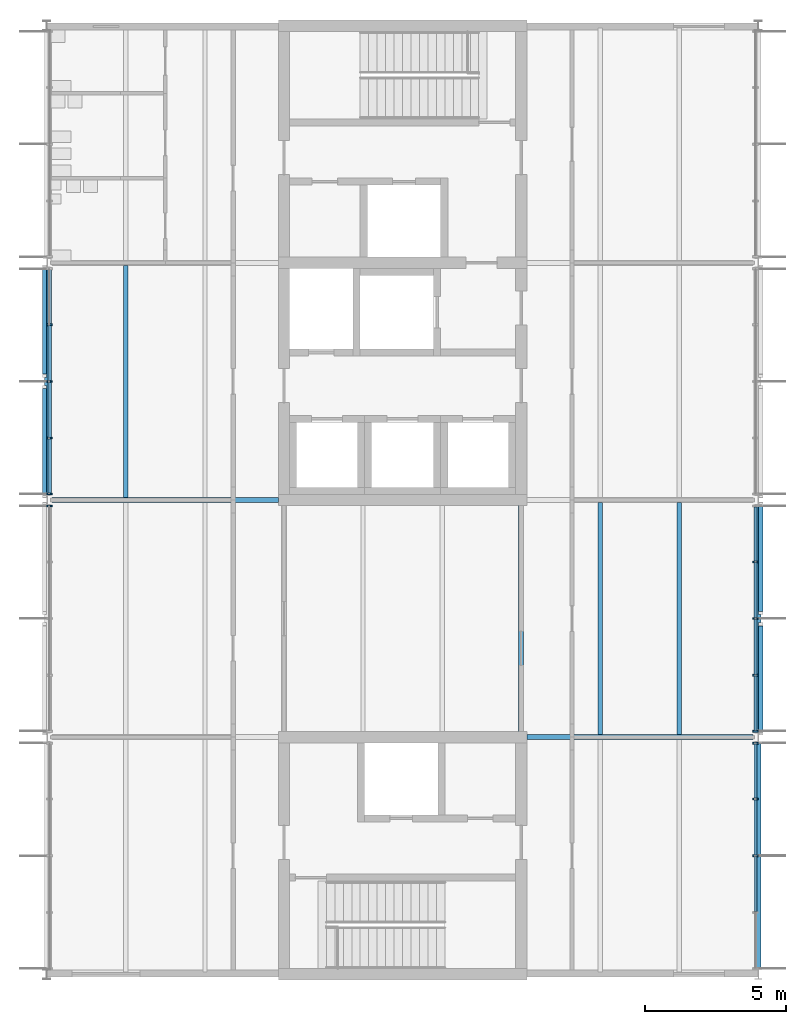
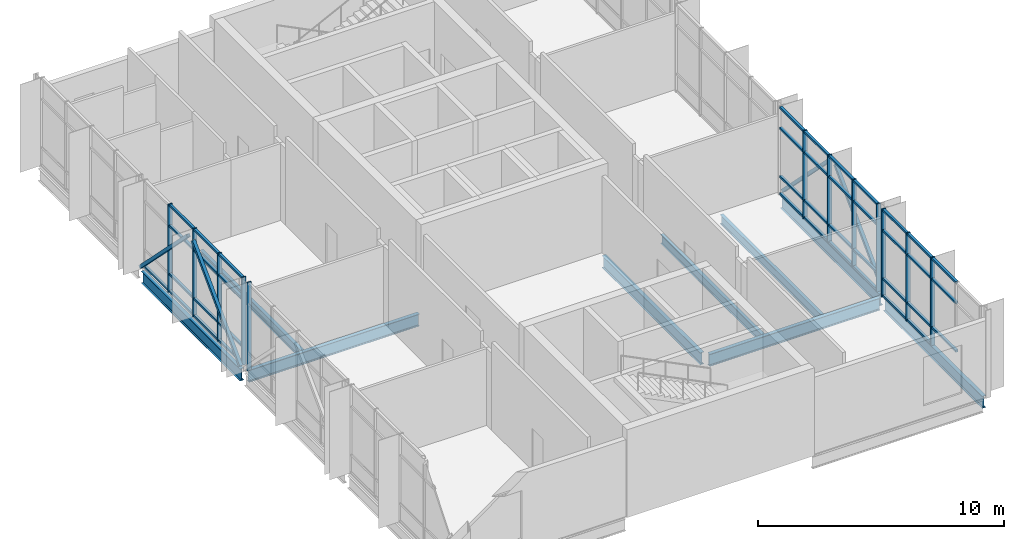
# One storey, part 4 of 17: 56 members, 9 beams, 4 elements without a shape of their own.
"""IFC4 building model written with IfcOpenShell, lengths in metres."""

import ifcopenshell
import ifcopenshell.guid

model = None  # the IFC model being written
_history = None  # IfcOwnerHistory: only IFC2X3 demands one
_inside = {}  # id of a spatial element -> (the spatial element, [elements in it])
_under = {}  # id of a project, library or spatial element -> (it, [spatial elements below it])
_declared = {}  # id of a project -> (the project, [libraries it declares])
_typed = {}  # id of a type object -> (the type object, [elements of that type])
_made_of = {}  # id of a material, layer set ... -> (it, [elements and type objects made of it])


def new_model(schema):
    """Start an empty IFC model of exactly this schema.

    Asked for "IFC4X3", IfcOpenShell would pick the latest addendum, in which some entities
    have other attributes; the version numbers below select the first issue.
    IFC2X3 requires an IfcOwnerHistory on every rooted entity: one is made here for all.
    """
    global model, _history
    if schema == "IFC4X3":
        model = ifcopenshell.file(schema_version=(4, 3, 0, 0))
    else:
        model = ifcopenshell.file(schema=schema)
    _inside.clear()
    _under.clear()
    _declared.clear()
    _typed.clear()
    _made_of.clear()
    _history = None
    if model.schema == "IFC2X3":
        org = make("IfcOrganization", Name="unknown")
        user = make(
            "IfcPersonAndOrganization",
            ThePerson=make("IfcPerson", FamilyName="unknown"),
            TheOrganization=org,
        )
        app = make(
            "IfcApplication",
            ApplicationDeveloper=org,
            Version="unknown",
            ApplicationFullName="unknown",
            ApplicationIdentifier="unknown",
        )
        _history = make(
            "IfcOwnerHistory",
            OwningUser=user,
            OwningApplication=app,
            ChangeAction="ADDED",
            CreationDate=0,
        )
    return model


def make(cls, **values):
    """One entity of the class cls with the attributes given. An attribute that is None is left unset."""
    return model.create_entity(
        cls, **{name: value for name, value in values.items() if value is not None}
    )


def rooted(cls, **values):
    """An entity with a GlobalId (a new one), such as an element, a storey or a relation."""
    return make(cls, GlobalId=ifcopenshell.guid.new(), OwnerHistory=_history, **values)


def si_unit(unit_type, name, prefix=None):
    """IfcSIUnit, for example si_unit("LENGTHUNIT", "METRE", prefix="MILLI")."""
    return make("IfcSIUnit", UnitType=unit_type, Prefix=prefix, Name=name)


def assignment(units):
    """IfcUnitAssignment: the units of a project."""
    return None if units is None else make("IfcUnitAssignment", Units=units)


def point(xyz):
    """IfcCartesianPoint."""
    return None if xyz is None else make("IfcCartesianPoint", Coordinates=xyz)


def direction(xyz):
    """IfcDirection."""
    return None if xyz is None else make("IfcDirection", DirectionRatios=xyz)


def frame(location, z_axis=None, x_axis=None):
    """IfcAxis2Placement3D, a coordinate frame: its origin and axes. An axis left out is left unset."""
    return make(
        "IfcAxis2Placement3D",
        Location=point(location),
        Axis=direction(z_axis),
        RefDirection=direction(x_axis),
    )


def frame_2d(location, x_axis=None):
    """IfcAxis2Placement2D, a coordinate frame in the plane: its origin and x axis."""
    return make(
        "IfcAxis2Placement2D", Location=point(location), RefDirection=direction(x_axis)
    )


def origin():
    """The frame at (0, 0, 0) with its axes left unset."""
    return frame((0.0, 0.0, 0.0))


def origin_2d():
    """The frame at (0, 0) in the plane with its x axis left unset."""
    return frame_2d((0.0, 0.0))


def place(relative_to, where):
    """IfcLocalPlacement: puts the frame where relative to a parent placement (None: the world)."""
    return make(
        "IfcLocalPlacement", PlacementRelTo=relative_to, RelativePlacement=where
    )


def context(
    kind, dimensions, precision=None, world=None, true_north=None, identifier=None
):
    """IfcGeometricRepresentationContext, for example the 3D "Model" context."""
    return make(
        "IfcGeometricRepresentationContext",
        ContextIdentifier=identifier,
        ContextType=kind,
        CoordinateSpaceDimension=dimensions,
        Precision=precision,
        WorldCoordinateSystem=world,
        TrueNorth=true_north,
    )


def subcontext(parent, identifier, kind, view, scale=None):
    """IfcGeometricRepresentationSubContext, for example "Body" below "Model"."""
    return make(
        "IfcGeometricRepresentationSubContext",
        ContextIdentifier=identifier,
        ContextType=kind,
        ParentContext=parent,
        TargetScale=scale,
        TargetView=view,
    )


def project(units=None, contexts=None):
    """IfcProject with its units and contexts."""
    return rooted(
        "IfcProject",
        Name="project",
        RepresentationContexts=contexts,
        UnitsInContext=assignment(units),
    )


def spatial(cls, under=None, at=None, **own):
    """A site, building, storey or space (cls), placed at a placement, below another one or the project."""
    s = rooted(cls, ObjectPlacement=at, **own)
    if under is not None:
        _under.setdefault(under.id(), (under, []))[1].append(s)
    return s


def profile(cls, at=None, kind="AREA", **sizes):
    """A parametric profile (cls). Its sizes go by their IFC names, for example OverallWidth=200.0."""
    return make(cls, ProfileType=kind, Position=at, **sizes)


def rectangle(**sizes):
    """IfcRectangleProfileDef."""
    return profile("IfcRectangleProfileDef", **sizes)


def hollow_rectangle(**sizes):
    """IfcRectangleHollowProfileDef."""
    return profile("IfcRectangleHollowProfileDef", **sizes)


def i_section(**sizes):
    """IfcIShapeProfileDef."""
    return profile("IfcIShapeProfileDef", **sizes)


def extrude(swept, where, along, depth):
    """IfcExtrudedAreaSolid: the profile swept, set in the frame where, extruded along a direction by depth."""
    return make(
        "IfcExtrudedAreaSolid",
        SweptArea=swept,
        Position=where,
        ExtrudedDirection=direction(along),
        Depth=depth,
    )


def shape(context_of_items, identifier, shape_type, items):
    """IfcShapeRepresentation: the items that make up one representation, for example the "Body"."""
    return make(
        "IfcShapeRepresentation",
        ContextOfItems=context_of_items,
        RepresentationIdentifier=identifier,
        RepresentationType=shape_type,
        Items=items,
    )


def material(Name=None, Category=None):
    """IfcMaterial."""
    return make("IfcMaterial", Name=Name, Category=Category)


def material_profile(
    of_material, cross_section, Name=None, Category=None, Priority=None
):
    """IfcMaterialProfile: a cross section and its material."""
    return make(
        "IfcMaterialProfile",
        Name=Name,
        Material=of_material,
        Profile=cross_section,
        Priority=Priority,
        Category=Category,
    )


def profile_set(profiles, Name=None, composite=None):
    """IfcMaterialProfileSet."""
    return make(
        "IfcMaterialProfileSet",
        Name=Name,
        MaterialProfiles=profiles,
        CompositeProfile=composite,
    )


def made_of(thing, what):
    """Note that an element or type object is made of a material, layer set ...; save() writes the relation."""
    if what is not None:
        _made_of.setdefault(what.id(), (what, []))[1].append(thing)
    return thing


def type_object(cls, material=None, **own):
    """A type object (cls), such as IfcWallType, which elements share."""
    return made_of(rooted(cls, **own), material)


def element(
    cls,
    number,
    at=None,
    inside=None,
    cuts=None,
    type_object=None,
    material=None,
    context=None,
    identifier="Body",
    shape_type=None,
    held_by="IfcProductDefinitionShape",
    body=None,
    shapes=None,
    **own,
):
    """One element of the class cls, such as IfcWall. Its Tag is "e" and its number.

    at: its placement. inside: the storey or other place that contains it. cuts: it is an
    opening in that element (IfcRelVoidsElement). A single representation is given by context,
    identifier, shape_type and body (its items); several are given by shapes. held_by: the class
    of the entity that holds the representations. save() writes the other relations.
    """
    e = rooted(cls, Tag="e%d" % number, ObjectPlacement=at, **own)
    if body is not None:
        shapes = [shape(context, identifier, shape_type, body)]
    if shapes is not None:
        e.Representation = make(held_by, Representations=shapes)
    if inside is not None:
        _inside.setdefault(inside.id(), (inside, []))[1].append(e)
    if cuts is not None:
        rooted(
            "IfcRelVoidsElement", RelatingBuildingElement=cuts, RelatedOpeningElement=e
        )
    if type_object is not None:
        _typed.setdefault(type_object.id(), (type_object, []))[1].append(e)
    return made_of(e, material)


def aggregate(whole, parts):
    """IfcRelAggregates: a whole, such as a stair, and the parts it consists of."""
    return rooted("IfcRelAggregates", RelatingObject=whole, RelatedObjects=parts)


def save(model, path):
    """Write the relations noted so far, then the file.

    IfcRelAggregates (storeys below a building ...), IfcRelContainedInSpatialStructure (elements
    in a storey), IfcRelDefinesByType, IfcRelAssociatesMaterial and IfcRelDeclares: one each for
    every whole, place, type object, material and project.
    """
    for whole, parts in _under.values():
        aggregate(whole, parts)
    for where, things in _inside.values():
        rooted(
            "IfcRelContainedInSpatialStructure",
            RelatedElements=things,
            RelatingStructure=where,
        )
    for kind, things in _typed.values():
        rooted("IfcRelDefinesByType", RelatedObjects=things, RelatingType=kind)
    for what, things in _made_of.values():
        rooted("IfcRelAssociatesMaterial", RelatedObjects=things, RelatingMaterial=what)
    for by, libraries in _declared.values():
        rooted("IfcRelDeclares", RelatingContext=by, RelatedDefinitions=libraries)
    model.write(path)


model = new_model("IFC4")

# Units and contexts
model_context = context("Model", 3, precision=1e-05, world=origin(), true_north=direction((0.0, 1.0)))
body_context = subcontext(model_context, "Body", "Model", "MODEL_VIEW")
ifc_project = project(units=[si_unit("LENGTHUNIT", "METRE"), si_unit("AREAUNIT", "SQUARE_METRE"), si_unit("VOLUMEUNIT", "CUBIC_METRE"), si_unit("PLANEANGLEUNIT", "RADIAN"), si_unit("MASSUNIT", "GRAM", prefix="KILO")], contexts=[model_context])

# Site, building, storey
site_placement = place(None, origin())
site = spatial("IfcSite", under=ifc_project, at=site_placement, CompositionType="ELEMENT")
building_placement = place(site_placement, origin())
building = spatial("IfcBuilding", under=site, at=building_placement, Name="Hlaing Beacon Police Headquarters", CompositionType="ELEMENT")
storey_placement = place(building_placement, frame((0.0, 0.0, 36.89990234375)))
storey = spatial("IfcBuildingStorey", under=building, at=storey_placement, Name="L08", CompositionType="ELEMENT", Elevation=36.89990234375)

# Members
ifc_material_1 = material(Name="Steel ASTM A500 Grade C", Category="steel")
ifc_material_profile_1 = material_profile(ifc_material_1, hollow_rectangle(XDim=0.15234375, YDim=0.15234375, WallThickness=0.009521484375, at=origin_2d()), Name="HSS6x6x3/8")
ifc_profile_set_1 = profile_set([ifc_material_profile_1], Name="Steel ASTM A500 Grade C")
member_type_1 = type_object("IfcMemberType", Name="Chevron brace HSS6x6x3/8", PredefinedType="BRACE", material=ifc_profile_set_1)
for number, where, z_axis, x_axis, name in (
    (1, (100.7197265625, 50.530029296875, 0.05419921875), (0.0, 0.70410207141, 0.710098776958), (-1.0, 0.0, 0.0), "STR-BR-L08-N7a"),
    (2, (100.7197265625, 58.669921875, 0.05419921875), (0.0, -0.70410207141, 0.710098776958), (1.0, 0.0, 0.0), "STR-BR-L08-N7b"),
):
    element("IfcMember", number, at=place(storey_placement, frame(where, z_axis=z_axis, x_axis=x_axis)), inside=storey, type_object=member_type_1, Name=name, PredefinedType="BRACE", context=body_context, shape_type="SweptSolid", body=[
        extrude(hollow_rectangle(XDim=0.15234375, YDim=0.15234375, WallThickness=0.009521484375, at=origin_2d()), origin(), (0.0, 0.0, 1.0), 5.49609375),
    ])
for number, where, z_axis, x_axis, name in (
    (3, (126.080078125, 42.1298828125, 0.05419921875), (0.0, 0.704124468733, 0.710076568077), (-1.0, 0.0, 0.0), "STR-BR-L08-R6a"),
    (4, (126.080078125, 50.27001953125, 0.05419921875), (0.0, -0.704124468733, 0.710076568077), (1.0, 0.0, 0.0), "STR-BR-L08-R6b"),
):
    element("IfcMember", number, at=place(storey_placement, frame(where, z_axis=z_axis, x_axis=x_axis)), inside=storey, type_object=member_type_1, Name=name, PredefinedType="BRACE", context=body_context, shape_type="SweptSolid", body=[
        extrude(hollow_rectangle(XDim=0.15234375, YDim=0.15234375, WallThickness=0.009521484375, at=origin_2d()), origin(), (0.0, 0.0, 1.0), 5.496337890625),
    ])

# Beams
ifc_material_2 = material(Name="Steel ASTM A992 Grade 50", Category="steel")
ifc_material_profile_2 = material_profile(ifc_material_2, i_section(OverallWidth=0.177978515625, OverallDepth=0.599365234375, WebThickness=0.010009765625, FlangeThickness=0.012939453125, FilletRadius=0.012939453125, at=origin_2d()), Name="W24x55")
ifc_profile_set_2 = profile_set([ifc_material_profile_2], Name="Steel ASTM A992 Grade 50")
beam_type_1 = type_object("IfcBeamType", Name="Girder W24x55", PredefinedType="BEAM", material=ifc_profile_set_2)
for number, where, z_axis, x_axis, name in (
    (5, (117.800048828125, 42.0, -0.4296875), (1.0, 0.0, 0.0), (0.0, 1.0, 0.0), "STR-BM-L08-GX-Q6-R6"),
    (6, (100.985107421875, 50.39990234375, -0.4296875), (1.0, 0.0, 0.0), (0.0, 1.0, 0.0), "STR-BM-L08-GX-N7-P7"),
):
    element("IfcBeam", number, at=place(storey_placement, frame(where, z_axis=z_axis, x_axis=x_axis)), inside=storey, type_object=beam_type_1, Name=name, PredefinedType="BEAM", context=body_context, shape_type="SweptSolid", body=[
        extrude(i_section(OverallWidth=0.177978515625, OverallDepth=0.599365234375, WebThickness=0.010009765625, FlangeThickness=0.012939453125, FilletRadius=0.012939453125, at=origin_2d()), origin(), (0.0, 0.0, 1.0), 8.014892578125),
    ])
beam_1_placement = place(storey_placement, frame((117.60009765625, 42.199951171875, -0.4296875), z_axis=(0.0, 1.0, 0.0), x_axis=(-1.0, 0.0, 0.0)))
element("IfcBeam", 7, at=beam_1_placement, inside=storey, type_object=beam_type_1, Name="STR-BM-L08-GY-Q6-Q7", PredefinedType="BEAM", context=body_context, shape_type="SweptSolid", body=[
    extrude(i_section(OverallWidth=0.177978515625, OverallDepth=0.599365234375, WebThickness=0.010009765625, FlangeThickness=0.012939453125, FilletRadius=0.012939453125, at=origin_2d()), origin(), (0.0, 0.0, 1.0), 8.0),
])
beam_2_placement = place(storey_placement, frame((126.0, 33.783935546875, -0.4296875), z_axis=(0.0, 1.0, 0.0), x_axis=(-1.0, 0.0, 0.0)))
element("IfcBeam", 8, at=beam_2_placement, inside=storey, type_object=beam_type_1, Name="STR-BM-L08-GY-R5-R6", PredefinedType="BEAM", context=body_context, shape_type="SweptSolid", body=[
    extrude(i_section(OverallWidth=0.177978515625, OverallDepth=0.599365234375, WebThickness=0.010009765625, FlangeThickness=0.012939453125, FilletRadius=0.012939453125, at=origin_2d()), origin(), (0.0, 0.0, 1.0), 8.0361328125),
])
ifc_material_3 = material(Name="Steel ASTM A992 Grade 50", Category="steel")
ifc_material_profile_3 = material_profile(ifc_material_3, i_section(OverallWidth=0.1787109375, OverallDepth=0.60205078125, WebThickness=0.010986328125, FlangeThickness=0.014892578125, FilletRadius=0.0126953125, at=origin_2d()), Name="W24x62")
ifc_profile_set_3 = profile_set([ifc_material_profile_3], Name="Steel ASTM A992 Grade 50")
beam_type_2 = type_object("IfcBeamType", Name="Girder W24x62", PredefinedType="BEAM", material=ifc_profile_set_3)
for number, where, z_axis, x_axis, name in (
    (9, (100.800048828125, 50.580078125, -0.430908203125), (0.0, 1.0, 0.0), (-1.0, 0.0, 0.0), "STR-BM-L08-GY-N7-N8"),
    (10, (126.0, 42.179931640625, -0.430908203125), (0.0, 1.0, 0.0), (-1.0, 0.0, 0.0), "STR-BM-L08-GY-R6-R7"),
):
    element("IfcBeam", number, at=place(storey_placement, frame(where, z_axis=z_axis, x_axis=x_axis)), inside=storey, type_object=beam_type_2, Name=name, PredefinedType="BEAM", context=body_context, shape_type="SweptSolid", body=[
        extrude(i_section(OverallWidth=0.1787109375, OverallDepth=0.60205078125, WebThickness=0.010986328125, FlangeThickness=0.014892578125, FilletRadius=0.0126953125, at=origin_2d()), origin(), (0.0, 0.0, 1.0), 8.0400390625),
    ])

# Curtain wall, members
ifc_material_4 = material(Name="Aluminium frame with solar control glazing", Category="aluminium")
curtain_wall_type = type_object("IfcCurtainWallType", Name="Unitised curtain wall 8.04 x 4.37", PredefinedType="NOTDEFINED", material=ifc_material_4)
curtain_wall_1_placement = place(storey_placement, origin())
curtain_wall_1 = element("IfcCurtainWall", 11, at=curtain_wall_1_placement, inside=storey, type_object=curtain_wall_type, Name="ENV-CW-L08-E001", PredefinedType="NOTDEFINED")
ifc_material_5 = material(Name="Aluminium", Category="aluminium")
ifc_material_profile_4 = material_profile(ifc_material_5, rectangle(XDim=0.199951171875, YDim=0.06005859375, at=origin_2d()), Name="Mullion 60x200")
ifc_profile_set_4 = profile_set([ifc_material_profile_4], Name="Aluminium")
member_type_2 = type_object("IfcMemberType", Name="Mullion 60x200", PredefinedType="MULLION", material=ifc_profile_set_4)
member_1_placement = place(storey_placement, frame((125.89990234375, 37.800048828125, 0.0), z_axis=(0.0, 0.0, 1.0), x_axis=(-1.0, 0.0, 0.0)))
member_1 = element("IfcMember", 12, at=member_1_placement, type_object=member_type_2, Name="CW-L08-E001 mullion 3", PredefinedType="MULLION", context=body_context, shape_type="SweptSolid", body=[
    extrude(rectangle(XDim=0.199951171875, YDim=0.06005859375, at=origin_2d()), origin(), (0.0, 0.0, 1.0), 4.3701171875),
])
member_2_placement = place(storey_placement, frame((125.89990234375, 39.80908203125, 0.0), z_axis=(0.0, 0.0, 1.0), x_axis=(-1.0, 0.0, 0.0)))
member_2 = element("IfcMember", 13, at=member_2_placement, type_object=member_type_2, Name="CW-L08-E001 mullion 4", PredefinedType="MULLION", context=body_context, shape_type="SweptSolid", body=[
    extrude(rectangle(XDim=0.199951171875, YDim=0.06005859375, at=origin_2d()), origin(), (0.0, 0.0, 1.0), 4.3701171875),
])
member_3_placement = place(storey_placement, frame((125.89990234375, 41.788330078125, 0.0), z_axis=(0.0, 0.0, 1.0), x_axis=(-1.0, 0.0, 0.0)))
member_3 = element("IfcMember", 14, at=member_3_placement, type_object=member_type_2, Name="CW-L08-E001 mullion 5", PredefinedType="MULLION", context=body_context, shape_type="SweptSolid", body=[
    extrude(rectangle(XDim=0.199951171875, YDim=0.06005859375, at=origin_2d()), origin(), (0.0, 0.0, 1.0), 4.3701171875),
])

curtain_wall_2_placement = place(storey_placement, origin())
curtain_wall_2 = element("IfcCurtainWall", 15, at=curtain_wall_2_placement, inside=storey, type_object=curtain_wall_type, Name="ENV-CW-L08-E002", PredefinedType="NOTDEFINED")
member_4_placement = place(storey_placement, frame((125.89990234375, 42.211669921875, 0.0), z_axis=(0.0, 0.0, 1.0), x_axis=(-1.0, 0.0, 0.0)))
member_4 = element("IfcMember", 16, at=member_4_placement, type_object=member_type_2, Name="CW-L08-E002 mullion 1", PredefinedType="MULLION", context=body_context, shape_type="SweptSolid", body=[
    extrude(rectangle(XDim=0.199951171875, YDim=0.06005859375, at=origin_2d()), origin(), (0.0, 0.0, 1.0), 4.3701171875),
])
member_5_placement = place(storey_placement, frame((125.89990234375, 44.19091796875, 0.0), z_axis=(0.0, 0.0, 1.0), x_axis=(-1.0, 0.0, 0.0)))
member_5 = element("IfcMember", 17, at=member_5_placement, type_object=member_type_2, Name="CW-L08-E002 mullion 2", PredefinedType="MULLION", context=body_context, shape_type="SweptSolid", body=[
    extrude(rectangle(XDim=0.199951171875, YDim=0.06005859375, at=origin_2d()), origin(), (0.0, 0.0, 1.0), 4.3701171875),
])
member_6_placement = place(storey_placement, frame((125.89990234375, 46.199951171875, 0.0), z_axis=(0.0, 0.0, 1.0), x_axis=(-1.0, 0.0, 0.0)))
member_6 = element("IfcMember", 18, at=member_6_placement, type_object=member_type_2, Name="CW-L08-E002 mullion 3", PredefinedType="MULLION", context=body_context, shape_type="SweptSolid", body=[
    extrude(rectangle(XDim=0.199951171875, YDim=0.06005859375, at=origin_2d()), origin(), (0.0, 0.0, 1.0), 4.3701171875),
])
member_7_placement = place(storey_placement, frame((125.89990234375, 48.209228515625, 0.0), z_axis=(0.0, 0.0, 1.0), x_axis=(-1.0, 0.0, 0.0)))
member_7 = element("IfcMember", 19, at=member_7_placement, type_object=member_type_2, Name="CW-L08-E002 mullion 4", PredefinedType="MULLION", context=body_context, shape_type="SweptSolid", body=[
    extrude(rectangle(XDim=0.199951171875, YDim=0.06005859375, at=origin_2d()), origin(), (0.0, 0.0, 1.0), 4.3701171875),
])

curtain_wall_3_placement = place(storey_placement, origin())
curtain_wall_3 = element("IfcCurtainWall", 20, at=curtain_wall_3_placement, inside=storey, type_object=curtain_wall_type, Name="ENV-CW-L08-W006", PredefinedType="NOTDEFINED")
member_8_placement = place(storey_placement, frame((100.89990234375, 56.609130859375, 0.0), z_axis=(0.0, 0.0, 1.0), x_axis=(1.0, 0.0, 0.0)))
member_8 = element("IfcMember", 21, at=member_8_placement, type_object=member_type_2, Name="CW-L08-W006 mullion 2", PredefinedType="MULLION", context=body_context, shape_type="SweptSolid", body=[
    extrude(rectangle(XDim=0.199951171875, YDim=0.06005859375, at=origin_2d()), origin(), (0.0, 0.0, 1.0), 4.3701171875),
])
member_9_placement = place(storey_placement, frame((100.89990234375, 54.60009765625, 0.0), z_axis=(0.0, 0.0, 1.0), x_axis=(1.0, 0.0, 0.0)))
member_9 = element("IfcMember", 22, at=member_9_placement, type_object=member_type_2, Name="CW-L08-W006 mullion 3", PredefinedType="MULLION", context=body_context, shape_type="SweptSolid", body=[
    extrude(rectangle(XDim=0.199951171875, YDim=0.06005859375, at=origin_2d()), origin(), (0.0, 0.0, 1.0), 4.3701171875),
])
member_10_placement = place(storey_placement, frame((100.89990234375, 52.5908203125, 0.0), z_axis=(0.0, 0.0, 1.0), x_axis=(1.0, 0.0, 0.0)))
member_10 = element("IfcMember", 23, at=member_10_placement, type_object=member_type_2, Name="CW-L08-W006 mullion 4", PredefinedType="MULLION", context=body_context, shape_type="SweptSolid", body=[
    extrude(rectangle(XDim=0.199951171875, YDim=0.06005859375, at=origin_2d()), origin(), (0.0, 0.0, 1.0), 4.3701171875),
])
member_11_placement = place(storey_placement, frame((100.89990234375, 50.611572265625, 0.0), z_axis=(0.0, 0.0, 1.0), x_axis=(1.0, 0.0, 0.0)))
member_11 = element("IfcMember", 24, at=member_11_placement, type_object=member_type_2, Name="CW-L08-W006 mullion 5", PredefinedType="MULLION", context=body_context, shape_type="SweptSolid", body=[
    extrude(rectangle(XDim=0.199951171875, YDim=0.06005859375, at=origin_2d()), origin(), (0.0, 0.0, 1.0), 4.3701171875),
])

# Curtain wall, member
curtain_wall_4_placement = place(storey_placement, origin())
curtain_wall_4 = element("IfcCurtainWall", 25, at=curtain_wall_4_placement, inside=storey, type_object=curtain_wall_type, Name="ENV-CW-L08-W007", PredefinedType="NOTDEFINED")
member_12_placement = place(storey_placement, frame((100.89990234375, 50.1884765625, 0.0), z_axis=(0.0, 0.0, 1.0), x_axis=(1.0, 0.0, 0.0)))
member_12 = element("IfcMember", 26, at=member_12_placement, type_object=member_type_2, Name="CW-L08-W007 mullion 1", PredefinedType="MULLION", context=body_context, shape_type="SweptSolid", body=[
    extrude(rectangle(XDim=0.199951171875, YDim=0.06005859375, at=origin_2d()), origin(), (0.0, 0.0, 1.0), 4.3701171875),
])
aggregate(curtain_wall_4, [member_12])

# Beams
ifc_material_6 = material(Name="Steel ASTM A992 Grade 50", Category="steel")
ifc_material_profile_5 = material_profile(ifc_material_6, i_section(OverallWidth=0.15234375, OverallDepth=0.449462890625, WebThickness=0.007568359375, FlangeThickness=0.0107421875, FilletRadius=0.01025390625, at=origin_2d()), Name="W18x35")
ifc_profile_set_5 = profile_set([ifc_material_profile_5], Name="Steel ASTM A992 Grade 50")
beam_type_3 = type_object("IfcBeamType", Name="Secondary beam W18x35", PredefinedType="BEAM", material=ifc_profile_set_5)
for number, where, z_axis, x_axis, name in (
    (27, (103.60009765625, 50.489013671875, -0.354736328125), (0.0, 1.0, 0.0), (-1.0, 0.0, 0.0), "STR-BM-L08-SB-N7-y1"),
    (28, (120.39990234375, 42.089111328125, -0.354736328125), (0.0, 1.0, 0.0), (-1.0, 0.0, 0.0), "STR-BM-L08-SB-Q6-y1"),
    (29, (123.199951171875, 42.089111328125, -0.354736328125), (0.0, 1.0, 0.0), (-1.0, 0.0, 0.0), "STR-BM-L08-SB-Q6-y2"),
):
    element("IfcBeam", number, at=place(storey_placement, frame(where, z_axis=z_axis, x_axis=x_axis)), inside=storey, type_object=beam_type_3, Name=name, PredefinedType="BEAM", context=body_context, shape_type="SweptSolid", body=[
        extrude(i_section(OverallWidth=0.15234375, OverallDepth=0.449462890625, WebThickness=0.007568359375, FlangeThickness=0.0107421875, FilletRadius=0.01025390625, at=origin_2d()), origin(), (0.0, 0.0, 1.0), 8.221923828125),
    ])

# Member
ifc_material_7 = material(Name="Aluminium", Category="aluminium")
ifc_material_profile_6 = material_profile(ifc_material_7, rectangle(XDim=0.1201171875, YDim=0.10009765625, at=origin_2d()), Name="Transom 120x100")
ifc_profile_set_6 = profile_set([ifc_material_profile_6], Name="Aluminium")
member_type_3 = type_object("IfcMemberType", Name="Transom 120x100", PredefinedType="USERDEFINED", material=ifc_profile_set_6)
member_13_placement = place(storey_placement, frame((125.89990234375, 35.82080078125, 0.900146484375), z_axis=(0.0, 1.0, 0.0), x_axis=(-1.0, 0.0, 0.0)))
member_13 = element("IfcMember", 30, at=member_13_placement, type_object=member_type_3, Name="CW-L08-E001 transom 2.2", ObjectType="TRANSOM", PredefinedType="USERDEFINED", context=body_context, shape_type="SweptSolid", body=[
    extrude(rectangle(XDim=0.1201171875, YDim=0.10009765625, at=origin_2d()), origin(), (0.0, 0.0, 1.0), 1.94921875),
])

member_14_placement = place(storey_placement, frame((125.89990234375, 35.82080078125, 3.300048828125), z_axis=(0.0, 1.0, 0.0), x_axis=(-1.0, 0.0, 0.0)))
member_14 = element("IfcMember", 31, at=member_14_placement, type_object=member_type_3, Name="CW-L08-E001 transom 2.3", ObjectType="TRANSOM", PredefinedType="USERDEFINED", context=body_context, shape_type="SweptSolid", body=[
    extrude(rectangle(XDim=0.1201171875, YDim=0.10009765625, at=origin_2d()), origin(), (0.0, 0.0, 1.0), 1.94921875),
])

member_15_placement = place(storey_placement, frame((125.89990234375, 35.82080078125, 4.320068359375), z_axis=(0.0, 1.0, 0.0), x_axis=(-1.0, 0.0, 0.0)))
member_15 = element("IfcMember", 32, at=member_15_placement, type_object=member_type_3, Name="CW-L08-E001 transom 2.4", ObjectType="TRANSOM", PredefinedType="USERDEFINED", context=body_context, shape_type="SweptSolid", body=[
    extrude(rectangle(XDim=0.1201171875, YDim=0.10009765625, at=origin_2d()), origin(), (0.0, 0.0, 1.0), 1.94921875),
])

member_16_placement = place(storey_placement, frame((125.89990234375, 37.830078125, 0.050048828125), z_axis=(0.0, 1.0, 0.0), x_axis=(-1.0, 0.0, 0.0)))
member_16 = element("IfcMember", 33, at=member_16_placement, type_object=member_type_3, Name="CW-L08-E001 transom 3.1", ObjectType="TRANSOM", PredefinedType="USERDEFINED", context=body_context, shape_type="SweptSolid", body=[
    extrude(rectangle(XDim=0.1201171875, YDim=0.10009765625, at=origin_2d()), origin(), (0.0, 0.0, 1.0), 1.94921875),
])

member_17_placement = place(storey_placement, frame((125.89990234375, 37.830078125, 0.900146484375), z_axis=(0.0, 1.0, 0.0), x_axis=(-1.0, 0.0, 0.0)))
member_17 = element("IfcMember", 34, at=member_17_placement, type_object=member_type_3, Name="CW-L08-E001 transom 3.2", ObjectType="TRANSOM", PredefinedType="USERDEFINED", context=body_context, shape_type="SweptSolid", body=[
    extrude(rectangle(XDim=0.1201171875, YDim=0.10009765625, at=origin_2d()), origin(), (0.0, 0.0, 1.0), 1.94921875),
])

member_18_placement = place(storey_placement, frame((125.89990234375, 37.830078125, 3.300048828125), z_axis=(0.0, 1.0, 0.0), x_axis=(-1.0, 0.0, 0.0)))
member_18 = element("IfcMember", 35, at=member_18_placement, type_object=member_type_3, Name="CW-L08-E001 transom 3.3", ObjectType="TRANSOM", PredefinedType="USERDEFINED", context=body_context, shape_type="SweptSolid", body=[
    extrude(rectangle(XDim=0.1201171875, YDim=0.10009765625, at=origin_2d()), origin(), (0.0, 0.0, 1.0), 1.94921875),
])

member_19_placement = place(storey_placement, frame((125.89990234375, 37.830078125, 4.320068359375), z_axis=(0.0, 1.0, 0.0), x_axis=(-1.0, 0.0, 0.0)))
member_19 = element("IfcMember", 36, at=member_19_placement, type_object=member_type_3, Name="CW-L08-E001 transom 3.4", ObjectType="TRANSOM", PredefinedType="USERDEFINED", context=body_context, shape_type="SweptSolid", body=[
    extrude(rectangle(XDim=0.1201171875, YDim=0.10009765625, at=origin_2d()), origin(), (0.0, 0.0, 1.0), 1.94921875),
])

member_20_placement = place(storey_placement, frame((125.89990234375, 39.839111328125, 0.050048828125), z_axis=(0.0, 1.0, 0.0), x_axis=(-1.0, 0.0, 0.0)))
member_20 = element("IfcMember", 37, at=member_20_placement, type_object=member_type_3, Name="CW-L08-E001 transom 4.1", ObjectType="TRANSOM", PredefinedType="USERDEFINED", context=body_context, shape_type="SweptSolid", body=[
    extrude(rectangle(XDim=0.1201171875, YDim=0.10009765625, at=origin_2d()), origin(), (0.0, 0.0, 1.0), 1.919189453125),
])

member_21_placement = place(storey_placement, frame((125.89990234375, 39.839111328125, 0.900146484375), z_axis=(0.0, 1.0, 0.0), x_axis=(-1.0, 0.0, 0.0)))
member_21 = element("IfcMember", 38, at=member_21_placement, type_object=member_type_3, Name="CW-L08-E001 transom 4.2", ObjectType="TRANSOM", PredefinedType="USERDEFINED", context=body_context, shape_type="SweptSolid", body=[
    extrude(rectangle(XDim=0.1201171875, YDim=0.10009765625, at=origin_2d()), origin(), (0.0, 0.0, 1.0), 1.919189453125),
])

member_22_placement = place(storey_placement, frame((125.89990234375, 39.839111328125, 3.300048828125), z_axis=(0.0, 1.0, 0.0), x_axis=(-1.0, 0.0, 0.0)))
member_22 = element("IfcMember", 39, at=member_22_placement, type_object=member_type_3, Name="CW-L08-E001 transom 4.3", ObjectType="TRANSOM", PredefinedType="USERDEFINED", context=body_context, shape_type="SweptSolid", body=[
    extrude(rectangle(XDim=0.1201171875, YDim=0.10009765625, at=origin_2d()), origin(), (0.0, 0.0, 1.0), 1.919189453125),
])

member_23_placement = place(storey_placement, frame((125.89990234375, 39.839111328125, 4.320068359375), z_axis=(0.0, 1.0, 0.0), x_axis=(-1.0, 0.0, 0.0)))
member_23 = element("IfcMember", 40, at=member_23_placement, type_object=member_type_3, Name="CW-L08-E001 transom 4.4", ObjectType="TRANSOM", PredefinedType="USERDEFINED", context=body_context, shape_type="SweptSolid", body=[
    extrude(rectangle(XDim=0.1201171875, YDim=0.10009765625, at=origin_2d()), origin(), (0.0, 0.0, 1.0), 1.919189453125),
])

aggregate(curtain_wall_1, [member_1, member_2, member_3, member_13, member_14, member_15, member_16, member_17, member_18, member_19, member_20, member_21, member_22, member_23])

member_24_placement = place(storey_placement, frame((125.89990234375, 42.24169921875, 0.050048828125), z_axis=(0.0, 1.0, 0.0), x_axis=(-1.0, 0.0, 0.0)))
member_24 = element("IfcMember", 41, at=member_24_placement, type_object=member_type_3, Name="CW-L08-E002 transom 1.1", ObjectType="TRANSOM", PredefinedType="USERDEFINED", context=body_context, shape_type="SweptSolid", body=[
    extrude(rectangle(XDim=0.1201171875, YDim=0.10009765625, at=origin_2d()), origin(), (0.0, 0.0, 1.0), 1.919189453125),
])

member_25_placement = place(storey_placement, frame((125.89990234375, 42.24169921875, 0.900146484375), z_axis=(0.0, 1.0, 0.0), x_axis=(-1.0, 0.0, 0.0)))
member_25 = element("IfcMember", 42, at=member_25_placement, type_object=member_type_3, Name="CW-L08-E002 transom 1.2", ObjectType="TRANSOM", PredefinedType="USERDEFINED", context=body_context, shape_type="SweptSolid", body=[
    extrude(rectangle(XDim=0.1201171875, YDim=0.10009765625, at=origin_2d()), origin(), (0.0, 0.0, 1.0), 1.919189453125),
])

member_26_placement = place(storey_placement, frame((125.89990234375, 42.24169921875, 3.300048828125), z_axis=(0.0, 1.0, 0.0), x_axis=(-1.0, 0.0, 0.0)))
member_26 = element("IfcMember", 43, at=member_26_placement, type_object=member_type_3, Name="CW-L08-E002 transom 1.3", ObjectType="TRANSOM", PredefinedType="USERDEFINED", context=body_context, shape_type="SweptSolid", body=[
    extrude(rectangle(XDim=0.1201171875, YDim=0.10009765625, at=origin_2d()), origin(), (0.0, 0.0, 1.0), 1.919189453125),
])

member_27_placement = place(storey_placement, frame((125.89990234375, 42.24169921875, 4.320068359375), z_axis=(0.0, 1.0, 0.0), x_axis=(-1.0, 0.0, 0.0)))
member_27 = element("IfcMember", 44, at=member_27_placement, type_object=member_type_3, Name="CW-L08-E002 transom 1.4", ObjectType="TRANSOM", PredefinedType="USERDEFINED", context=body_context, shape_type="SweptSolid", body=[
    extrude(rectangle(XDim=0.1201171875, YDim=0.10009765625, at=origin_2d()), origin(), (0.0, 0.0, 1.0), 1.919189453125),
])

member_28_placement = place(storey_placement, frame((125.89990234375, 44.220703125, 0.050048828125), z_axis=(0.0, 1.0, 0.0), x_axis=(-1.0, 0.0, 0.0)))
member_28 = element("IfcMember", 45, at=member_28_placement, type_object=member_type_3, Name="CW-L08-E002 transom 2.1", ObjectType="TRANSOM", PredefinedType="USERDEFINED", context=body_context, shape_type="SweptSolid", body=[
    extrude(rectangle(XDim=0.1201171875, YDim=0.10009765625, at=origin_2d()), origin(), (0.0, 0.0, 1.0), 1.94921875),
])

member_29_placement = place(storey_placement, frame((125.89990234375, 44.220703125, 0.900146484375), z_axis=(0.0, 1.0, 0.0), x_axis=(-1.0, 0.0, 0.0)))
member_29 = element("IfcMember", 46, at=member_29_placement, type_object=member_type_3, Name="CW-L08-E002 transom 2.2", ObjectType="TRANSOM", PredefinedType="USERDEFINED", context=body_context, shape_type="SweptSolid", body=[
    extrude(rectangle(XDim=0.1201171875, YDim=0.10009765625, at=origin_2d()), origin(), (0.0, 0.0, 1.0), 1.94921875),
])

member_30_placement = place(storey_placement, frame((125.89990234375, 44.220703125, 3.300048828125), z_axis=(0.0, 1.0, 0.0), x_axis=(-1.0, 0.0, 0.0)))
member_30 = element("IfcMember", 47, at=member_30_placement, type_object=member_type_3, Name="CW-L08-E002 transom 2.3", ObjectType="TRANSOM", PredefinedType="USERDEFINED", context=body_context, shape_type="SweptSolid", body=[
    extrude(rectangle(XDim=0.1201171875, YDim=0.10009765625, at=origin_2d()), origin(), (0.0, 0.0, 1.0), 1.94921875),
])

member_31_placement = place(storey_placement, frame((125.89990234375, 44.220703125, 4.320068359375), z_axis=(0.0, 1.0, 0.0), x_axis=(-1.0, 0.0, 0.0)))
member_31 = element("IfcMember", 48, at=member_31_placement, type_object=member_type_3, Name="CW-L08-E002 transom 2.4", ObjectType="TRANSOM", PredefinedType="USERDEFINED", context=body_context, shape_type="SweptSolid", body=[
    extrude(rectangle(XDim=0.1201171875, YDim=0.10009765625, at=origin_2d()), origin(), (0.0, 0.0, 1.0), 1.94921875),
])

member_32_placement = place(storey_placement, frame((125.89990234375, 46.22998046875, 0.050048828125), z_axis=(0.0, 1.0, 0.0), x_axis=(-1.0, 0.0, 0.0)))
member_32 = element("IfcMember", 49, at=member_32_placement, type_object=member_type_3, Name="CW-L08-E002 transom 3.1", ObjectType="TRANSOM", PredefinedType="USERDEFINED", context=body_context, shape_type="SweptSolid", body=[
    extrude(rectangle(XDim=0.1201171875, YDim=0.10009765625, at=origin_2d()), origin(), (0.0, 0.0, 1.0), 1.94921875),
])

member_33_placement = place(storey_placement, frame((125.89990234375, 46.22998046875, 0.900146484375), z_axis=(0.0, 1.0, 0.0), x_axis=(-1.0, 0.0, 0.0)))
member_33 = element("IfcMember", 50, at=member_33_placement, type_object=member_type_3, Name="CW-L08-E002 transom 3.2", ObjectType="TRANSOM", PredefinedType="USERDEFINED", context=body_context, shape_type="SweptSolid", body=[
    extrude(rectangle(XDim=0.1201171875, YDim=0.10009765625, at=origin_2d()), origin(), (0.0, 0.0, 1.0), 1.94921875),
])

member_34_placement = place(storey_placement, frame((125.89990234375, 46.22998046875, 3.300048828125), z_axis=(0.0, 1.0, 0.0), x_axis=(-1.0, 0.0, 0.0)))
member_34 = element("IfcMember", 51, at=member_34_placement, type_object=member_type_3, Name="CW-L08-E002 transom 3.3", ObjectType="TRANSOM", PredefinedType="USERDEFINED", context=body_context, shape_type="SweptSolid", body=[
    extrude(rectangle(XDim=0.1201171875, YDim=0.10009765625, at=origin_2d()), origin(), (0.0, 0.0, 1.0), 1.94921875),
])

member_35_placement = place(storey_placement, frame((125.89990234375, 46.22998046875, 4.320068359375), z_axis=(0.0, 1.0, 0.0), x_axis=(-1.0, 0.0, 0.0)))
member_35 = element("IfcMember", 52, at=member_35_placement, type_object=member_type_3, Name="CW-L08-E002 transom 3.4", ObjectType="TRANSOM", PredefinedType="USERDEFINED", context=body_context, shape_type="SweptSolid", body=[
    extrude(rectangle(XDim=0.1201171875, YDim=0.10009765625, at=origin_2d()), origin(), (0.0, 0.0, 1.0), 1.94921875),
])

member_36_placement = place(storey_placement, frame((125.89990234375, 48.2392578125, 0.050048828125), z_axis=(0.0, 1.0, 0.0), x_axis=(-1.0, 0.0, 0.0)))
member_36 = element("IfcMember", 53, at=member_36_placement, type_object=member_type_3, Name="CW-L08-E002 transom 4.1", ObjectType="TRANSOM", PredefinedType="USERDEFINED", context=body_context, shape_type="SweptSolid", body=[
    extrude(rectangle(XDim=0.1201171875, YDim=0.10009765625, at=origin_2d()), origin(), (0.0, 0.0, 1.0), 1.919189453125),
])

member_37_placement = place(storey_placement, frame((125.89990234375, 48.2392578125, 0.900146484375), z_axis=(0.0, 1.0, 0.0), x_axis=(-1.0, 0.0, 0.0)))
member_37 = element("IfcMember", 54, at=member_37_placement, type_object=member_type_3, Name="CW-L08-E002 transom 4.2", ObjectType="TRANSOM", PredefinedType="USERDEFINED", context=body_context, shape_type="SweptSolid", body=[
    extrude(rectangle(XDim=0.1201171875, YDim=0.10009765625, at=origin_2d()), origin(), (0.0, 0.0, 1.0), 1.919189453125),
])

member_38_placement = place(storey_placement, frame((125.89990234375, 48.2392578125, 3.300048828125), z_axis=(0.0, 1.0, 0.0), x_axis=(-1.0, 0.0, 0.0)))
member_38 = element("IfcMember", 55, at=member_38_placement, type_object=member_type_3, Name="CW-L08-E002 transom 4.3", ObjectType="TRANSOM", PredefinedType="USERDEFINED", context=body_context, shape_type="SweptSolid", body=[
    extrude(rectangle(XDim=0.1201171875, YDim=0.10009765625, at=origin_2d()), origin(), (0.0, 0.0, 1.0), 1.919189453125),
])

member_39_placement = place(storey_placement, frame((125.89990234375, 48.2392578125, 4.320068359375), z_axis=(0.0, 1.0, 0.0), x_axis=(-1.0, 0.0, 0.0)))
member_39 = element("IfcMember", 56, at=member_39_placement, type_object=member_type_3, Name="CW-L08-E002 transom 4.4", ObjectType="TRANSOM", PredefinedType="USERDEFINED", context=body_context, shape_type="SweptSolid", body=[
    extrude(rectangle(XDim=0.1201171875, YDim=0.10009765625, at=origin_2d()), origin(), (0.0, 0.0, 1.0), 1.919189453125),
])

aggregate(curtain_wall_2, [member_4, member_5, member_6, member_7, member_24, member_25, member_26, member_27, member_28, member_29, member_30, member_31, member_32, member_33, member_34, member_35, member_36, member_37, member_38, member_39])

member_40_placement = place(storey_placement, frame((100.89990234375, 58.558349609375, 0.050048828125), z_axis=(0.0, -1.0, 0.0), x_axis=(1.0, 0.0, 0.0)))
member_40 = element("IfcMember", 57, at=member_40_placement, type_object=member_type_3, Name="CW-L08-W006 transom 1.1", ObjectType="TRANSOM", PredefinedType="USERDEFINED", context=body_context, shape_type="SweptSolid", body=[
    extrude(rectangle(XDim=0.1201171875, YDim=0.10009765625, at=origin_2d()), origin(), (0.0, 0.0, 1.0), 1.919189453125),
])

member_41_placement = place(storey_placement, frame((100.89990234375, 56.5791015625, 0.050048828125), z_axis=(0.0, -1.0, 0.0), x_axis=(1.0, 0.0, 0.0)))
member_41 = element("IfcMember", 58, at=member_41_placement, type_object=member_type_3, Name="CW-L08-W006 transom 2.1", ObjectType="TRANSOM", PredefinedType="USERDEFINED", context=body_context, shape_type="SweptSolid", body=[
    extrude(rectangle(XDim=0.1201171875, YDim=0.10009765625, at=origin_2d()), origin(), (0.0, 0.0, 1.0), 1.94921875),
])

member_42_placement = place(storey_placement, frame((100.89990234375, 56.5791015625, 0.900146484375), z_axis=(0.0, -1.0, 0.0), x_axis=(1.0, 0.0, 0.0)))
member_42 = element("IfcMember", 59, at=member_42_placement, type_object=member_type_3, Name="CW-L08-W006 transom 2.2", ObjectType="TRANSOM", PredefinedType="USERDEFINED", context=body_context, shape_type="SweptSolid", body=[
    extrude(rectangle(XDim=0.1201171875, YDim=0.10009765625, at=origin_2d()), origin(), (0.0, 0.0, 1.0), 1.94921875),
])

member_43_placement = place(storey_placement, frame((100.89990234375, 56.5791015625, 3.300048828125), z_axis=(0.0, -1.0, 0.0), x_axis=(1.0, 0.0, 0.0)))
member_43 = element("IfcMember", 60, at=member_43_placement, type_object=member_type_3, Name="CW-L08-W006 transom 2.3", ObjectType="TRANSOM", PredefinedType="USERDEFINED", context=body_context, shape_type="SweptSolid", body=[
    extrude(rectangle(XDim=0.1201171875, YDim=0.10009765625, at=origin_2d()), origin(), (0.0, 0.0, 1.0), 1.94921875),
])

member_44_placement = place(storey_placement, frame((100.89990234375, 56.5791015625, 4.320068359375), z_axis=(0.0, -1.0, 0.0), x_axis=(1.0, 0.0, 0.0)))
member_44 = element("IfcMember", 61, at=member_44_placement, type_object=member_type_3, Name="CW-L08-W006 transom 2.4", ObjectType="TRANSOM", PredefinedType="USERDEFINED", context=body_context, shape_type="SweptSolid", body=[
    extrude(rectangle(XDim=0.1201171875, YDim=0.10009765625, at=origin_2d()), origin(), (0.0, 0.0, 1.0), 1.94921875),
])

member_45_placement = place(storey_placement, frame((100.89990234375, 54.570068359375, 0.050048828125), z_axis=(0.0, -1.0, 0.0), x_axis=(1.0, 0.0, 0.0)))
member_45 = element("IfcMember", 62, at=member_45_placement, type_object=member_type_3, Name="CW-L08-W006 transom 3.1", ObjectType="TRANSOM", PredefinedType="USERDEFINED", context=body_context, shape_type="SweptSolid", body=[
    extrude(rectangle(XDim=0.1201171875, YDim=0.10009765625, at=origin_2d()), origin(), (0.0, 0.0, 1.0), 1.94921875),
])

member_46_placement = place(storey_placement, frame((100.89990234375, 54.570068359375, 0.900146484375), z_axis=(0.0, -1.0, 0.0), x_axis=(1.0, 0.0, 0.0)))
member_46 = element("IfcMember", 63, at=member_46_placement, type_object=member_type_3, Name="CW-L08-W006 transom 3.2", ObjectType="TRANSOM", PredefinedType="USERDEFINED", context=body_context, shape_type="SweptSolid", body=[
    extrude(rectangle(XDim=0.1201171875, YDim=0.10009765625, at=origin_2d()), origin(), (0.0, 0.0, 1.0), 1.94921875),
])

member_47_placement = place(storey_placement, frame((100.89990234375, 54.570068359375, 3.300048828125), z_axis=(0.0, -1.0, 0.0), x_axis=(1.0, 0.0, 0.0)))
member_47 = element("IfcMember", 64, at=member_47_placement, type_object=member_type_3, Name="CW-L08-W006 transom 3.3", ObjectType="TRANSOM", PredefinedType="USERDEFINED", context=body_context, shape_type="SweptSolid", body=[
    extrude(rectangle(XDim=0.1201171875, YDim=0.10009765625, at=origin_2d()), origin(), (0.0, 0.0, 1.0), 1.94921875),
])

member_48_placement = place(storey_placement, frame((100.89990234375, 54.570068359375, 4.320068359375), z_axis=(0.0, -1.0, 0.0), x_axis=(1.0, 0.0, 0.0)))
member_48 = element("IfcMember", 65, at=member_48_placement, type_object=member_type_3, Name="CW-L08-W006 transom 3.4", ObjectType="TRANSOM", PredefinedType="USERDEFINED", context=body_context, shape_type="SweptSolid", body=[
    extrude(rectangle(XDim=0.1201171875, YDim=0.10009765625, at=origin_2d()), origin(), (0.0, 0.0, 1.0), 1.94921875),
])

member_49_placement = place(storey_placement, frame((100.89990234375, 52.560791015625, 0.050048828125), z_axis=(0.0, -1.0, 0.0), x_axis=(1.0, 0.0, 0.0)))
member_49 = element("IfcMember", 66, at=member_49_placement, type_object=member_type_3, Name="CW-L08-W006 transom 4.1", ObjectType="TRANSOM", PredefinedType="USERDEFINED", context=body_context, shape_type="SweptSolid", body=[
    extrude(rectangle(XDim=0.1201171875, YDim=0.10009765625, at=origin_2d()), origin(), (0.0, 0.0, 1.0), 1.919189453125),
])

member_50_placement = place(storey_placement, frame((100.89990234375, 52.560791015625, 0.900146484375), z_axis=(0.0, -1.0, 0.0), x_axis=(1.0, 0.0, 0.0)))
member_50 = element("IfcMember", 67, at=member_50_placement, type_object=member_type_3, Name="CW-L08-W006 transom 4.2", ObjectType="TRANSOM", PredefinedType="USERDEFINED", context=body_context, shape_type="SweptSolid", body=[
    extrude(rectangle(XDim=0.1201171875, YDim=0.10009765625, at=origin_2d()), origin(), (0.0, 0.0, 1.0), 1.919189453125),
])

member_51_placement = place(storey_placement, frame((100.89990234375, 52.560791015625, 3.300048828125), z_axis=(0.0, -1.0, 0.0), x_axis=(1.0, 0.0, 0.0)))
member_51 = element("IfcMember", 68, at=member_51_placement, type_object=member_type_3, Name="CW-L08-W006 transom 4.3", ObjectType="TRANSOM", PredefinedType="USERDEFINED", context=body_context, shape_type="SweptSolid", body=[
    extrude(rectangle(XDim=0.1201171875, YDim=0.10009765625, at=origin_2d()), origin(), (0.0, 0.0, 1.0), 1.919189453125),
])

member_52_placement = place(storey_placement, frame((100.89990234375, 52.560791015625, 4.320068359375), z_axis=(0.0, -1.0, 0.0), x_axis=(1.0, 0.0, 0.0)))
member_52 = element("IfcMember", 69, at=member_52_placement, type_object=member_type_3, Name="CW-L08-W006 transom 4.4", ObjectType="TRANSOM", PredefinedType="USERDEFINED", context=body_context, shape_type="SweptSolid", body=[
    extrude(rectangle(XDim=0.1201171875, YDim=0.10009765625, at=origin_2d()), origin(), (0.0, 0.0, 1.0), 1.919189453125),
])

aggregate(curtain_wall_3, [member_8, member_9, member_10, member_11, member_40, member_41, member_42, member_43, member_44, member_45, member_46, member_47, member_48, member_49, member_50, member_51, member_52])

save(model, "model.ifc")
